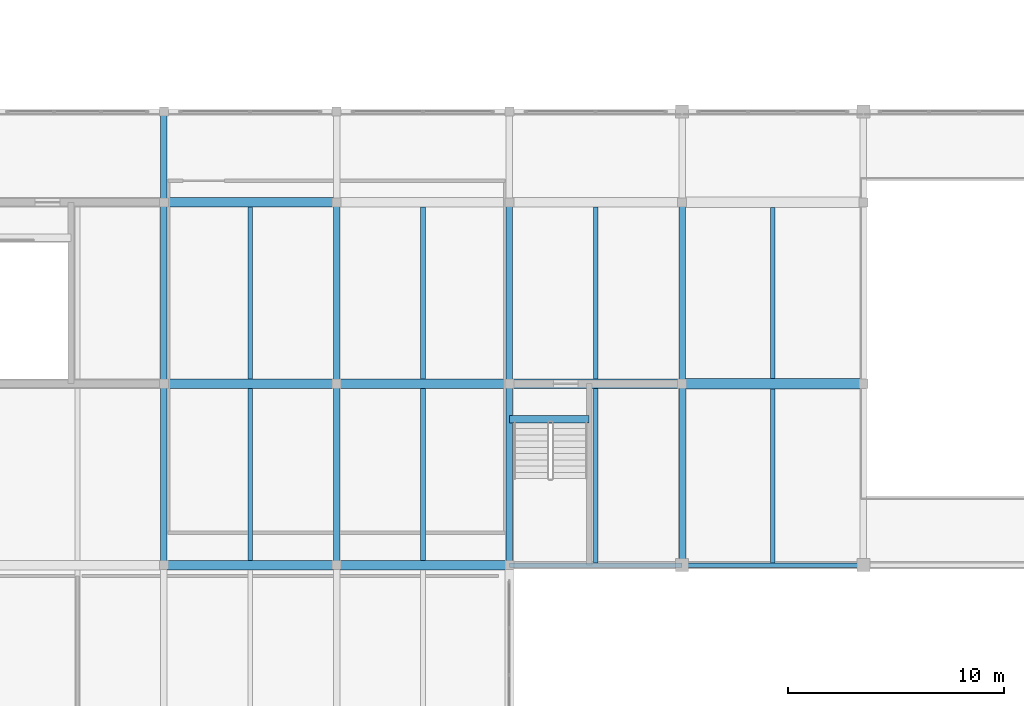
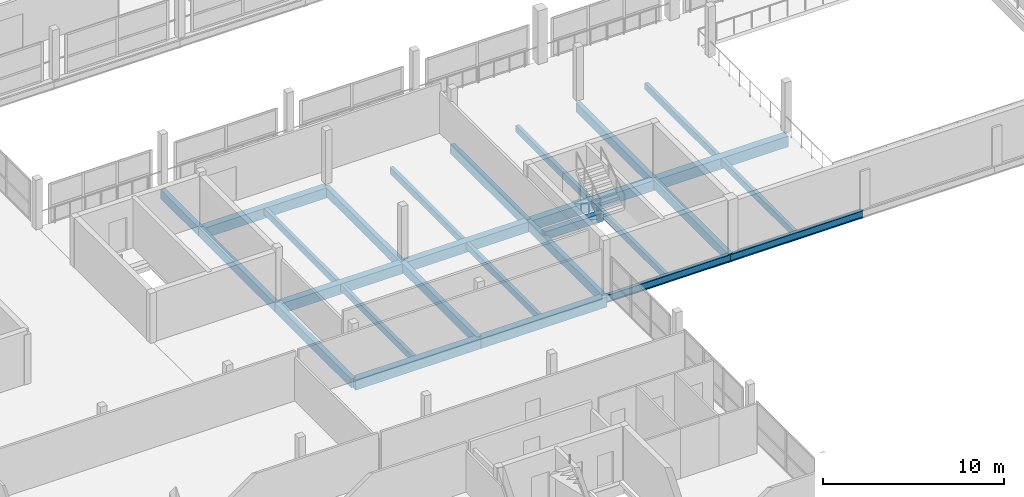
# One storey, part 20 of 51: 27 beams.
"""IFC4 building model written with IfcOpenShell, lengths in metres."""

from ifc_helpers import new_model, si_unit, direction, frame, origin, origin_2d, place, context, subcontext, project, spatial, rectangle, i_section, extrude, material, material_profile, profile_set, type_object, element, save


model = new_model("IFC4")

# Units and contexts
model_context = context("Model", 3, precision=1e-05, world=origin(), true_north=direction((0.0, 1.0)))
body_context = subcontext(model_context, "Body", "Model", "MODEL_VIEW")
ifc_project = project(units=[si_unit("LENGTHUNIT", "METRE"), si_unit("AREAUNIT", "SQUARE_METRE"), si_unit("VOLUMEUNIT", "CUBIC_METRE"), si_unit("PLANEANGLEUNIT", "RADIAN"), si_unit("MASSUNIT", "GRAM", prefix="KILO")], contexts=[model_context])

# Site, building, storey
site_placement = place(None, origin())
site = spatial("IfcSite", under=ifc_project, at=site_placement, CompositionType="ELEMENT")
building_placement = place(site_placement, origin())
building = spatial("IfcBuilding", under=site, at=building_placement, Name="Vharandega Faculty of Natural Sciences", CompositionType="ELEMENT")
storey_placement = place(building_placement, frame((0.0, 0.0, 14.39990234375)))
storey = spatial("IfcBuildingStorey", under=building, at=storey_placement, Name="L03", CompositionType="ELEMENT", Elevation=14.39990234375)

# Beams
ifc_material_1 = material(Name="Glulam GL28h", Category="wood")
ifc_material_profile_1 = material_profile(ifc_material_1, rectangle(XDim=0.300048828125, YDim=0.60009765625, at=origin_2d()), Name="GL28h 300x600")
ifc_profile_set_1 = profile_set([ifc_material_profile_1], Name="Glulam GL28h")
beam_type_1 = type_object("IfcBeamType", Name="Glulam Floor Beam 300x600", PredefinedType="BEAM", material=ifc_profile_set_1)
beam_1_placement = place(storey_placement, frame((32.0, 64.0, -0.539794921875), z_axis=(0.0, 1.0, 0.0), x_axis=(-1.0, 0.0, 0.0)))
element("IfcBeam", 1, at=beam_1_placement, inside=storey, type_object=beam_type_1, Name="Beam L03 5/J-K", PredefinedType="BEAM", context=body_context, shape_type="SweptSolid", body=[
    extrude(rectangle(XDim=0.300048828125, YDim=0.60009765625, at=origin_2d()), origin(), (0.0, 0.0, 1.0), 8.39990234375),
])
beam_2_placement = place(storey_placement, frame((32.0, 72.39990234375, -0.539794921875), z_axis=(0.0, 1.0, 0.0), x_axis=(-1.0, 0.0, 0.0)))
element("IfcBeam", 2, at=beam_2_placement, inside=storey, type_object=beam_type_1, Name="Beam L03 5/K-L", PredefinedType="BEAM", context=body_context, shape_type="SweptSolid", body=[
    extrude(rectangle(XDim=0.300048828125, YDim=0.60009765625, at=origin_2d()), origin(), (0.0, 0.0, 1.0), 8.400146484375),
])
beam_3_placement = place(storey_placement, frame((32.0, 80.800048828125, -0.539794921875), z_axis=(0.0, 1.0, 0.0), x_axis=(-1.0, 0.0, 0.0)))
element("IfcBeam", 3, at=beam_3_placement, inside=storey, type_object=beam_type_1, Name="Beam L03 5/L-M", PredefinedType="BEAM", context=body_context, shape_type="SweptSolid", body=[
    extrude(rectangle(XDim=0.300048828125, YDim=0.60009765625, at=origin_2d()), origin(), (0.0, 0.0, 1.0), 4.199951171875),
])
beam_4_placement = place(storey_placement, frame((40.0, 64.0, -0.539794921875), z_axis=(0.0, 1.0, 0.0), x_axis=(-1.0, 0.0, 0.0)))
element("IfcBeam", 4, at=beam_4_placement, inside=storey, type_object=beam_type_1, Name="Beam L03 6/J-K", PredefinedType="BEAM", context=body_context, shape_type="SweptSolid", body=[
    extrude(rectangle(XDim=0.300048828125, YDim=0.60009765625, at=origin_2d()), origin(), (0.0, 0.0, 1.0), 8.39990234375),
])
beam_5_placement = place(storey_placement, frame((40.0, 72.39990234375, -0.539794921875), z_axis=(0.0, 1.0, 0.0), x_axis=(-1.0, 0.0, 0.0)))
element("IfcBeam", 5, at=beam_5_placement, inside=storey, type_object=beam_type_1, Name="Beam L03 6/K-L", PredefinedType="BEAM", context=body_context, shape_type="SweptSolid", body=[
    extrude(rectangle(XDim=0.300048828125, YDim=0.60009765625, at=origin_2d()), origin(), (0.0, 0.0, 1.0), 8.400146484375),
])
beam_6_placement = place(storey_placement, frame((48.0, 64.0, -0.539794921875), z_axis=(0.0, 1.0, 0.0), x_axis=(-1.0, 0.0, 0.0)))
element("IfcBeam", 6, at=beam_6_placement, inside=storey, type_object=beam_type_1, Name="Beam L03 7/J-K", PredefinedType="BEAM", context=body_context, shape_type="SweptSolid", body=[
    extrude(rectangle(XDim=0.300048828125, YDim=0.60009765625, at=origin_2d()), origin(), (0.0, 0.0, 1.0), 8.39990234375),
])
beam_7_placement = place(storey_placement, frame((48.0, 72.39990234375, -0.539794921875), z_axis=(0.0, 1.0, 0.0), x_axis=(-1.0, 0.0, 0.0)))
element("IfcBeam", 7, at=beam_7_placement, inside=storey, type_object=beam_type_1, Name="Beam L03 7/K-L", PredefinedType="BEAM", context=body_context, shape_type="SweptSolid", body=[
    extrude(rectangle(XDim=0.300048828125, YDim=0.60009765625, at=origin_2d()), origin(), (0.0, 0.0, 1.0), 8.400146484375),
])
beam_8_placement = place(storey_placement, frame((56.0, 64.0, -0.539794921875), z_axis=(0.0, 1.0, 0.0), x_axis=(-1.0, 0.0, 0.0)))
element("IfcBeam", 8, at=beam_8_placement, inside=storey, type_object=beam_type_1, Name="Beam L03 8/J-K", PredefinedType="BEAM", context=body_context, shape_type="SweptSolid", body=[
    extrude(rectangle(XDim=0.300048828125, YDim=0.60009765625, at=origin_2d()), origin(), (0.0, 0.0, 1.0), 8.39990234375),
])
beam_9_placement = place(storey_placement, frame((56.0, 72.39990234375, -0.539794921875), z_axis=(0.0, 1.0, 0.0), x_axis=(-1.0, 0.0, 0.0)))
element("IfcBeam", 9, at=beam_9_placement, inside=storey, type_object=beam_type_1, Name="Beam L03 8/K-L", PredefinedType="BEAM", context=body_context, shape_type="SweptSolid", body=[
    extrude(rectangle(XDim=0.300048828125, YDim=0.60009765625, at=origin_2d()), origin(), (0.0, 0.0, 1.0), 8.400146484375),
])
ifc_material_2 = material(Name="Glulam GL32h", Category="wood")
ifc_material_profile_2 = material_profile(ifc_material_2, rectangle(XDim=0.43994140625, YDim=0.679931640625, at=origin_2d()), Name="GL32h 440x680")
ifc_profile_set_2 = profile_set([ifc_material_profile_2], Name="Glulam GL32h")
beam_type_2 = type_object("IfcBeamType", Name="Glulam Girder 440x680", PredefinedType="BEAM", material=ifc_profile_set_2)
for number, where, z_axis, x_axis, name in (
    (10, (32.0, 64.0, -0.579833984375), (1.0, 0.0, 0.0), (0.0, 1.0, 0.0), "Beam L03 J/5-6"),
    (11, (40.0, 64.0, -0.579833984375), (1.0, 0.0, 0.0), (0.0, 1.0, 0.0), "Beam L03 J/6-7"),
    (12, (32.0, 72.39990234375, -0.579833984375), (1.0, 0.0, 0.0), (0.0, 1.0, 0.0), "Beam L03 K/5-6"),
    (13, (40.0, 72.39990234375, -0.579833984375), (1.0, 0.0, 0.0), (0.0, 1.0, 0.0), "Beam L03 K/6-7"),
    (14, (48.0, 72.39990234375, -0.579833984375), (1.0, 0.0, 0.0), (0.0, 1.0, 0.0), "Beam L03 K/7-8"),
    (15, (32.0, 80.800048828125, -0.579833984375), (1.0, 0.0, 0.0), (0.0, 1.0, 0.0), "Beam L03 L/5-6"),
):
    element("IfcBeam", number, at=place(storey_placement, frame(where, z_axis=z_axis, x_axis=x_axis)), inside=storey, type_object=beam_type_2, Name=name, PredefinedType="BEAM", context=body_context, shape_type="SweptSolid", body=[
        extrude(rectangle(XDim=0.43994140625, YDim=0.679931640625, at=origin_2d()), origin(), (0.0, 0.0, 1.0), 8.0),
    ])
ifc_material_3 = material(Name="Glulam GL32h", Category="wood")
ifc_material_profile_3 = material_profile(ifc_material_3, rectangle(XDim=0.47998046875, YDim=0.719970703125, at=origin_2d()), Name="GL32h 480x720")
ifc_profile_set_3 = profile_set([ifc_material_profile_3], Name="Glulam GL32h")
beam_type_3 = type_object("IfcBeamType", Name="Glulam Primary Girder 480x720", PredefinedType="BEAM", material=ifc_profile_set_3)
beam_10_placement = place(storey_placement, frame((56.0, 72.39990234375, -0.599853515625), z_axis=(1.0, 0.0, 0.0), x_axis=(0.0, 1.0, 0.0)))
element("IfcBeam", 16, at=beam_10_placement, inside=storey, type_object=beam_type_3, Name="Beam L03 K/8-9", PredefinedType="BEAM", context=body_context, shape_type="SweptSolid", body=[
    extrude(rectangle(XDim=0.47998046875, YDim=0.719970703125, at=origin_2d()), origin(), (0.0, 0.0, 1.0), 8.39990234375),
])
ifc_material_4 = material(Name="Glulam GL28h", Category="wood")
ifc_material_profile_4 = material_profile(ifc_material_4, rectangle(XDim=0.219970703125, YDim=0.43994140625, at=origin_2d()), Name="GL28h 220x440")
ifc_profile_set_4 = profile_set([ifc_material_profile_4], Name="Glulam GL28h")
beam_type_4 = type_object("IfcBeamType", Name="Glulam Secondary Joist 220x440", PredefinedType="JOIST", material=ifc_profile_set_4)
for number, where, z_axis, x_axis, name in (
    (17, (36.0, 64.219970703125, -0.4599609375), (0.0, 1.0, 0.0), (-1.0, 0.0, 0.0), "Secondary Joist L03 5-6/J-K"),
    (18, (36.0, 72.6201171875, -0.4599609375), (0.0, 1.0, 0.0), (-1.0, 0.0, 0.0), "Secondary Joist L03 5-6/K-L"),
    (19, (44.0, 64.219970703125, -0.4599609375), (0.0, 1.0, 0.0), (-1.0, 0.0, 0.0), "Secondary Joist L03 6-7/J-K"),
    (20, (44.0, 72.6201171875, -0.4599609375), (0.0, 1.0, 0.0), (-1.0, 0.0, 0.0), "Secondary Joist L03 6-7/K-L"),
):
    element("IfcBeam", number, at=place(storey_placement, frame(where, z_axis=z_axis, x_axis=x_axis)), inside=storey, type_object=beam_type_4, Name=name, PredefinedType="JOIST", context=body_context, shape_type="SweptSolid", body=[
        extrude(rectangle(XDim=0.219970703125, YDim=0.43994140625, at=origin_2d()), origin(), (0.0, 0.0, 1.0), 7.9599609375),
    ])
beam_11_placement = place(storey_placement, frame((52.0, 64.10009765625, -0.4599609375), z_axis=(0.0, 1.0, 0.0), x_axis=(-1.0, 0.0, 0.0)))
element("IfcBeam", 21, at=beam_11_placement, inside=storey, type_object=beam_type_4, Name="Secondary Joist L03 7-8/J-K", PredefinedType="JOIST", context=body_context, shape_type="SweptSolid", body=[
    extrude(rectangle(XDim=0.219970703125, YDim=0.43994140625, at=origin_2d()), origin(), (0.0, 0.0, 1.0), 8.079833984375),
])
beam_12_placement = place(storey_placement, frame((52.0, 72.6201171875, -0.4599609375), z_axis=(0.0, 1.0, 0.0), x_axis=(-1.0, 0.0, 0.0)))
element("IfcBeam", 22, at=beam_12_placement, inside=storey, type_object=beam_type_4, Name="Secondary Joist L03 7-8/K-L", PredefinedType="JOIST", context=body_context, shape_type="SweptSolid", body=[
    extrude(rectangle(XDim=0.219970703125, YDim=0.43994140625, at=origin_2d()), origin(), (0.0, 0.0, 1.0), 7.9599609375),
])
beam_13_placement = place(storey_placement, frame((60.199951171875, 64.10009765625, -0.4599609375), z_axis=(0.0, 1.0, 0.0), x_axis=(-1.0, 0.0, 0.0)))
element("IfcBeam", 23, at=beam_13_placement, inside=storey, type_object=beam_type_4, Name="Secondary Joist L03 8-9/J-K", PredefinedType="JOIST", context=body_context, shape_type="SweptSolid", body=[
    extrude(rectangle(XDim=0.219970703125, YDim=0.43994140625, at=origin_2d()), origin(), (0.0, 0.0, 1.0), 8.059814453125),
])
beam_14_placement = place(storey_placement, frame((60.199951171875, 72.639892578125, -0.4599609375), z_axis=(0.0, 1.0, 0.0), x_axis=(-1.0, 0.0, 0.0)))
element("IfcBeam", 24, at=beam_14_placement, inside=storey, type_object=beam_type_4, Name="Secondary Joist L03 8-9/K-L", PredefinedType="JOIST", context=body_context, shape_type="SweptSolid", body=[
    extrude(rectangle(XDim=0.219970703125, YDim=0.43994140625, at=origin_2d()), origin(), (0.0, 0.0, 1.0), 7.920166015625),
])
ifc_material_5 = material(Name="Concrete C40/50", Category="concrete")
ifc_material_profile_5 = material_profile(ifc_material_5, rectangle(XDim=0.35009765625, YDim=0.550048828125, at=origin_2d()), Name="RC 350x550")
ifc_profile_set_5 = profile_set([ifc_material_profile_5], Name="Concrete C40/50")
beam_type_5 = type_object("IfcBeamType", Name="Stair Header Trimmer Beam 350x550", PredefinedType="BEAM", material=ifc_profile_set_5)
beam_15_placement = place(storey_placement, frame((48.0, 70.75, -0.27490234375), z_axis=(1.0, 0.0, 0.0), x_axis=(0.0, 1.0, 0.0)))
element("IfcBeam", 25, at=beam_15_placement, inside=storey, type_object=beam_type_5, Name="Stair Landing Trimmer Beam C5 L03", PredefinedType="BEAM", context=body_context, shape_type="SweptSolid", body=[
    extrude(rectangle(XDim=0.35009765625, YDim=0.550048828125, at=origin_2d()), origin(), (0.0, 0.0, 1.0), 3.699951171875),
])
ifc_material_6 = material(Name="Steel S355", Category="steel")
ifc_material_profile_6 = material_profile(ifc_material_6, i_section(OverallWidth=0.199951171875, OverallDepth=0.5, WebThickness=0.01025390625, FlangeThickness=0.01611328125, FilletRadius=0.02099609375, at=origin_2d()), Name="IPE 500")
ifc_profile_set_6 = profile_set([ifc_material_profile_6], Name="Steel S355")
beam_type_6 = type_object("IfcBeamType", Name="Steel Spandrel Beam IPE 500", PredefinedType="SPANDREL", material=ifc_profile_set_6)
beam_16_placement = place(storey_placement, frame((48.0, 64.0, -0.489990234375), z_axis=(1.0, 0.0, 0.0), x_axis=(0.0, 1.0, 0.0)))
element("IfcBeam", 26, at=beam_16_placement, inside=storey, type_object=beam_type_6, Name="Beam L03 J/7-8", PredefinedType="SPANDREL", context=body_context, shape_type="SweptSolid", body=[
    extrude(i_section(OverallWidth=0.199951171875, OverallDepth=0.5, WebThickness=0.01025390625, FlangeThickness=0.01611328125, FilletRadius=0.02099609375, at=origin_2d()), origin(), (0.0, 0.0, 1.0), 8.0),
])
beam_17_placement = place(storey_placement, frame((56.0, 64.0, -0.489990234375), z_axis=(1.0, 0.0, 0.0), x_axis=(0.0, 1.0, 0.0)))
element("IfcBeam", 27, at=beam_17_placement, inside=storey, type_object=beam_type_6, Name="Beam L03 J/8-9", PredefinedType="SPANDREL", context=body_context, shape_type="SweptSolid", body=[
    extrude(i_section(OverallWidth=0.199951171875, OverallDepth=0.5, WebThickness=0.01025390625, FlangeThickness=0.01611328125, FilletRadius=0.02099609375, at=origin_2d()), origin(), (0.0, 0.0, 1.0), 8.39990234375),
])

save(model, "model.ifc")
